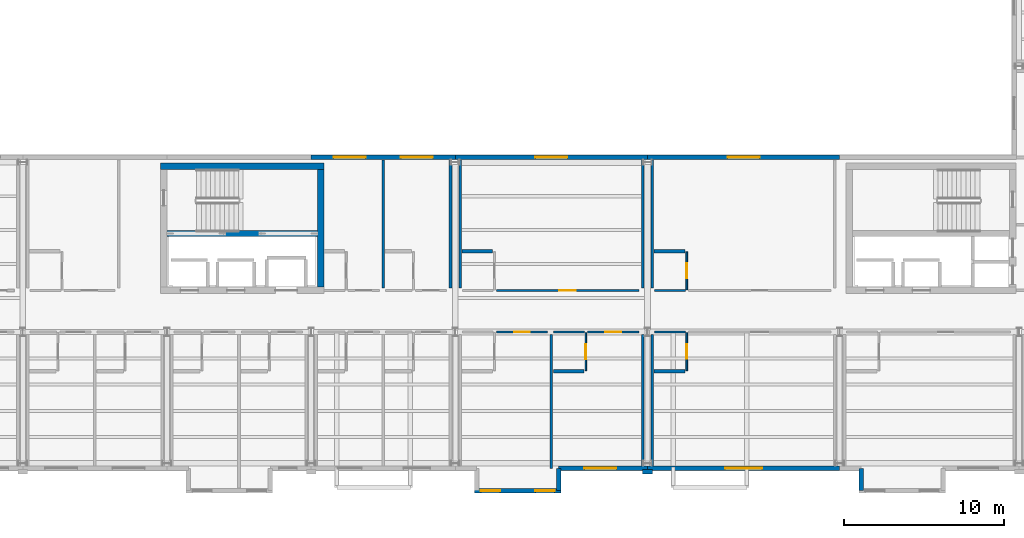
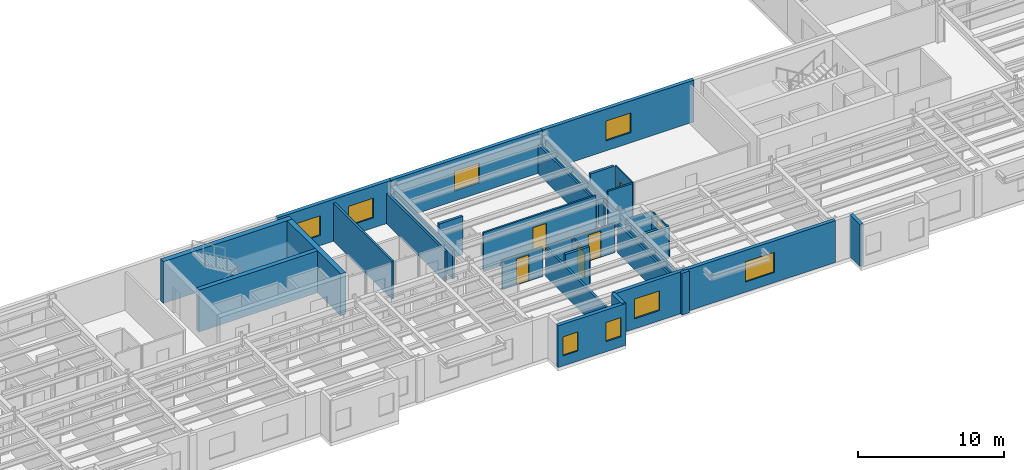
# One storey, part 11 of 17: 33 walls, 8 windows, 6 doors, 14 openings.
"""IFC4 building model written with IfcOpenShell, lengths in metres."""

from ifc_helpers import new_model, si_unit, direction, frame, frame_2d, origin, place, context, subcontext, project, spatial, rectangle, extrude, material, layer, layer_set, type_object, element, fill, save


model = new_model("IFC4")

# Units and contexts
model_context = context("Model", 3, precision=1e-05, world=origin(), true_north=direction((0.0, 1.0)))
body_context = subcontext(model_context, "Body", "Model", "MODEL_VIEW")
ifc_project = project(units=[si_unit("LENGTHUNIT", "METRE"), si_unit("AREAUNIT", "SQUARE_METRE"), si_unit("VOLUMEUNIT", "CUBIC_METRE"), si_unit("PLANEANGLEUNIT", "RADIAN"), si_unit("MASSUNIT", "GRAM", prefix="KILO")], contexts=[model_context])

# Site, building, storey
site_placement = place(None, origin())
site = spatial("IfcSite", under=ifc_project, at=site_placement, CompositionType="ELEMENT")
building_placement = place(site_placement, origin())
building = spatial("IfcBuilding", under=site, at=building_placement, Name="Sollismere Congress Hotel", CompositionType="ELEMENT")
storey_placement = place(building_placement, frame((0.0, 0.0, 37.60009765625)))
storey = spatial("IfcBuildingStorey", under=building, at=storey_placement, Name="L09", CompositionType="ELEMENT", Elevation=37.60009765625)

# Wall, opening, window
ifc_material_1 = material(Name="Colorado Buff Sandstone Rainscreen on Insulated Backup", Category="masonry")
ifc_layer_1 = layer(ifc_material_1, 0.284912109375, Name="Colorado Buff Sandstone Rainscreen on Insulated Backup")
ifc_layer_set_1 = layer_set([ifc_layer_1], Name="Colorado Buff Sandstone Rainscreen on Insulated Backup")
wall_type_1 = type_object("IfcWallType", Name="WL-EXT285", PredefinedType="STANDARD", material=ifc_layer_set_1)
wall_1_placement = place(storey_placement, frame((118.4599609375, -0.31005859375, 0.0), z_axis=(0.0, 0.0, 1.0), x_axis=(1.0, 0.0, 0.0)))
wall_1 = element("IfcWall", 1, at=wall_1_placement, inside=storey, type_object=wall_type_1, Name="Exterior wall EW-L09-893", PredefinedType="STANDARD", context=body_context, shape_type="SweptSolid", body=[
    extrude(rectangle(XDim=5.5400390625, YDim=0.284912109375, at=frame_2d((2.77001953125, 0.0))), origin(), (0.0, 0.0, 1.0), 3.5),
])
opening_1_placement = place(wall_1_placement, frame((1.594970703125, 0.0, 0.85009765625)))
opening_1 = element("IfcOpeningElement", 2, at=opening_1_placement, cuts=wall_1, Name="Opening W-L09-643", PredefinedType="OPENING", context=body_context, shape_type="SweptSolid", body=[
    extrude(rectangle(XDim=2.0, YDim=1.64990234375, at=frame_2d((1.0, 0.824951171875))), frame((0.0, 0.15234375, 0.0), z_axis=(0.0, -1.0, 0.0), x_axis=(1.0, 0.0, 0.0)), (0.0, 0.0, 1.0), 0.304931640625),
])
ifc_material_2 = material(Name="Thermally Broken Bronze Aluminum & Low-E Glass", Category="aluminium")
window_type_1 = type_object("IfcWindowType", Name="WN-P200x165", PartitioningType="SINGLE_PANEL", PredefinedType="WINDOW", material=ifc_material_2)
window_1_placement = place(opening_1_placement, origin())
window_1 = element("IfcWindow", 3, at=window_1_placement, inside=storey, type_object=window_type_1, Name="WIN-W-L09-643", OverallHeight=1.64990234375, OverallWidth=2.0, PartitioningType="SINGLE_PANEL", PredefinedType="WINDOW", context=body_context, shape_type="SweptSolid", body=[
    extrude(rectangle(XDim=2.0, YDim=1.64990234375, at=frame_2d((1.0, 0.824951171875))), frame((0.0, 0.030029296875, 0.0), z_axis=(0.0, -1.0, 0.0), x_axis=(1.0, 0.0, 0.0)), (0.0, 0.0, 1.0), 0.06005859375),
])
fill(opening_1, window_1)

# Wall, openings, windows
wall_2_placement = place(storey_placement, frame((113.199951171875, -1.699951171875, 0.0), z_axis=(0.0, 0.0, 1.0), x_axis=(1.0, 0.0, 0.0)))
wall_2 = element("IfcWall", 4, at=wall_2_placement, inside=storey, type_object=wall_type_1, Name="Exterior wall EW-L09-894", PredefinedType="STANDARD", context=body_context, shape_type="SweptSolid", body=[
    extrude(rectangle(XDim=5.400146484375, YDim=0.284912109375, at=frame_2d((2.7001953125, 0.0))), origin(), (0.0, 0.0, 1.0), 3.5),
])
opening_2_placement = place(wall_2_placement, frame((0.39990234375, 0.0, 0.85009765625)))
opening_2 = element("IfcOpeningElement", 5, at=opening_2_placement, cuts=wall_2, Name="Opening W-L09-644", PredefinedType="OPENING", context=body_context, shape_type="SweptSolid", body=[
    extrude(rectangle(XDim=1.199951171875, YDim=1.60009765625, at=frame_2d((0.60009765625, 0.800048828125))), frame((0.0, 0.15234375, 0.0), z_axis=(0.0, -1.0, 0.0), x_axis=(1.0, 0.0, 0.0)), (0.0, 0.0, 1.0), 0.304931640625),
])
opening_3_placement = place(wall_2_placement, frame((3.800048828125, 0.0, 0.85009765625)))
opening_3 = element("IfcOpeningElement", 6, at=opening_3_placement, cuts=wall_2, Name="Opening W-L09-645", PredefinedType="OPENING", context=body_context, shape_type="SweptSolid", body=[
    extrude(rectangle(XDim=1.199951171875, YDim=1.60009765625, at=frame_2d((0.60009765625, 0.800048828125))), frame((0.0, 0.15234375, 0.0), z_axis=(0.0, -1.0, 0.0), x_axis=(1.0, 0.0, 0.0)), (0.0, 0.0, 1.0), 0.304931640625),
])
window_type_2 = type_object("IfcWindowType", Name="WN-P120x160", PartitioningType="SINGLE_PANEL", PredefinedType="WINDOW", material=ifc_material_2)
window_2_placement = place(opening_2_placement, origin())
window_2 = element("IfcWindow", 7, at=window_2_placement, inside=storey, type_object=window_type_2, Name="WIN-W-L09-644", OverallHeight=1.60009765625, OverallWidth=1.199951171875, PartitioningType="SINGLE_PANEL", PredefinedType="WINDOW", context=body_context, shape_type="SweptSolid", body=[
    extrude(rectangle(XDim=1.199951171875, YDim=1.60009765625, at=frame_2d((0.60009765625, 0.800048828125))), frame((0.0, 0.030029296875, 0.0), z_axis=(0.0, -1.0, 0.0), x_axis=(1.0, 0.0, 0.0)), (0.0, 0.0, 1.0), 0.06005859375),
])
fill(opening_2, window_2)
window_3_placement = place(opening_3_placement, origin())
window_3 = element("IfcWindow", 8, at=window_3_placement, inside=storey, type_object=window_type_2, Name="WIN-W-L09-645", OverallHeight=1.60009765625, OverallWidth=1.199951171875, PartitioningType="SINGLE_PANEL", PredefinedType="WINDOW", context=body_context, shape_type="SweptSolid", body=[
    extrude(rectangle(XDim=1.199951171875, YDim=1.60009765625, at=frame_2d((0.60009765625, 0.800048828125))), frame((0.0, 0.030029296875, 0.0), z_axis=(0.0, -1.0, 0.0), x_axis=(1.0, 0.0, 0.0)), (0.0, 0.0, 1.0), 0.06005859375),
])
fill(opening_3, window_3)

# Wall
wall_3_placement = place(storey_placement, frame((118.4599609375, -1.699951171875, 0.0), z_axis=(0.0, 0.0, 1.0), x_axis=(0.0, 1.0, 0.0)))
element("IfcWall", 9, at=wall_3_placement, inside=storey, type_object=wall_type_1, Name="Exterior wall EW-L09-896", PredefinedType="STANDARD", context=body_context, shape_type="SweptSolid", body=[
    extrude(rectangle(XDim=1.389892578125, YDim=0.284912109375, at=frame_2d((0.69482421875, 0.0))), origin(), (0.0, 0.0, 1.0), 3.5),
])

# Wall, opening, window
wall_4_placement = place(storey_placement, frame((124.0, -0.31005859375, 0.0), z_axis=(0.0, 0.0, 1.0), x_axis=(1.0, 0.0, 0.0)))
wall_4 = element("IfcWall", 10, at=wall_4_placement, inside=storey, type_object=wall_type_1, Name="Exterior wall EW-L09-897", PredefinedType="STANDARD", context=body_context, shape_type="SweptSolid", body=[
    extrude(rectangle(XDim=12.0, YDim=0.284912109375, at=frame_2d((6.0, 0.0))), origin(), (0.0, 0.0, 1.0), 3.5),
])
opening_4_placement = place(wall_4_placement, frame((4.85009765625, 0.0, 0.85009765625)))
opening_4 = element("IfcOpeningElement", 11, at=opening_4_placement, cuts=wall_4, Name="Opening W-L09-646", PredefinedType="OPENING", context=body_context, shape_type="SweptSolid", body=[
    extrude(rectangle(XDim=2.300048828125, YDim=1.699951171875, at=frame_2d((1.14990234375, 0.85009765625))), frame((0.0, 0.15234375, 0.0), z_axis=(0.0, -1.0, 0.0), x_axis=(1.0, 0.0, 0.0)), (0.0, 0.0, 1.0), 0.304931640625),
])
window_type_3 = type_object("IfcWindowType", Name="WN-P230x170", PartitioningType="SINGLE_PANEL", PredefinedType="WINDOW", material=ifc_material_2)
window_4_placement = place(opening_4_placement, origin())
window_4 = element("IfcWindow", 12, at=window_4_placement, inside=storey, type_object=window_type_3, Name="WIN-W-L09-646", OverallHeight=1.699951171875, OverallWidth=2.300048828125, PartitioningType="SINGLE_PANEL", PredefinedType="WINDOW", context=body_context, shape_type="SweptSolid", body=[
    extrude(rectangle(XDim=2.300048828125, YDim=1.699951171875, at=frame_2d((1.14990234375, 0.85009765625))), frame((0.0, 0.030029296875, 0.0), z_axis=(0.0, -1.0, 0.0), x_axis=(1.0, 0.0, 0.0)), (0.0, 0.0, 1.0), 0.06005859375),
])
fill(opening_4, window_4)

# Wall
wall_5_placement = place(storey_placement, frame((137.340087890625, -0.31005859375, 0.0), z_axis=(0.0, 0.0, 1.0), x_axis=(0.0, -1.0, 0.0)))
element("IfcWall", 13, at=wall_5_placement, inside=storey, type_object=wall_type_1, Name="Exterior wall EW-L09-902", PredefinedType="STANDARD", context=body_context, shape_type="SweptSolid", body=[
    extrude(rectangle(XDim=1.389892578125, YDim=0.284912109375, at=frame_2d((0.69482421875, 0.0))), origin(), (0.0, 0.0, 1.0), 3.5),
])

# Wall, openings, windows
wall_6_placement = place(storey_placement, frame((112.0, 19.110107421875, 0.0), z_axis=(0.0, 0.0, 1.0), x_axis=(-1.0, 0.0, 0.0)))
wall_6 = element("IfcWall", 14, at=wall_6_placement, inside=storey, type_object=wall_type_1, Name="Exterior wall EW-L09-930", PredefinedType="STANDARD", context=body_context, shape_type="SweptSolid", body=[
    extrude(rectangle(XDim=9.0, YDim=0.284912109375, at=frame_2d((4.5, 0.0))), origin(), (0.0, 0.0, 1.0), 3.5),
])
opening_5_placement = place(wall_6_placement, frame((5.60009765625, 0.0, 0.85009765625)))
opening_5 = element("IfcOpeningElement", 15, at=opening_5_placement, cuts=wall_6, Name="Opening W-L09-664", PredefinedType="OPENING", context=body_context, shape_type="SweptSolid", body=[
    extrude(rectangle(XDim=2.0, YDim=1.64990234375, at=frame_2d((1.0, 0.824951171875))), frame((0.0, 0.15234375, 0.0), z_axis=(0.0, -1.0, 0.0), x_axis=(1.0, 0.0, 0.0)), (0.0, 0.0, 1.0), 0.304931640625),
])
opening_6_placement = place(wall_6_placement, frame((1.39990234375, 0.0, 0.85009765625)))
opening_6 = element("IfcOpeningElement", 16, at=opening_6_placement, cuts=wall_6, Name="Opening W-L09-665", PredefinedType="OPENING", context=body_context, shape_type="SweptSolid", body=[
    extrude(rectangle(XDim=2.0, YDim=1.64990234375, at=frame_2d((1.0, 0.824951171875))), frame((0.0, 0.15234375, 0.0), z_axis=(0.0, -1.0, 0.0), x_axis=(1.0, 0.0, 0.0)), (0.0, 0.0, 1.0), 0.304931640625),
])
window_5_placement = place(opening_5_placement, origin())
window_5 = element("IfcWindow", 17, at=window_5_placement, inside=storey, type_object=window_type_1, Name="WIN-W-L09-664", OverallHeight=1.64990234375, OverallWidth=2.0, PartitioningType="SINGLE_PANEL", PredefinedType="WINDOW", context=body_context, shape_type="SweptSolid", body=[
    extrude(rectangle(XDim=2.0, YDim=1.64990234375, at=frame_2d((1.0, 0.824951171875))), frame((0.0, 0.030029296875, 0.0), z_axis=(0.0, -1.0, 0.0), x_axis=(1.0, 0.0, 0.0)), (0.0, 0.0, 1.0), 0.06005859375),
])
fill(opening_5, window_5)
window_6_placement = place(opening_6_placement, origin())
window_6 = element("IfcWindow", 18, at=window_6_placement, inside=storey, type_object=window_type_1, Name="WIN-W-L09-665", OverallHeight=1.64990234375, OverallWidth=2.0, PartitioningType="SINGLE_PANEL", PredefinedType="WINDOW", context=body_context, shape_type="SweptSolid", body=[
    extrude(rectangle(XDim=2.0, YDim=1.64990234375, at=frame_2d((1.0, 0.824951171875))), frame((0.0, 0.030029296875, 0.0), z_axis=(0.0, -1.0, 0.0), x_axis=(1.0, 0.0, 0.0)), (0.0, 0.0, 1.0), 0.06005859375),
])
fill(opening_6, window_6)

# Wall, opening, window
wall_7_placement = place(storey_placement, frame((124.0, 19.110107421875, 0.0), z_axis=(0.0, 0.0, 1.0), x_axis=(-1.0, 0.0, 0.0)))
wall_7 = element("IfcWall", 19, at=wall_7_placement, inside=storey, type_object=wall_type_1, Name="Exterior wall EW-L09-931", PredefinedType="STANDARD", context=body_context, shape_type="SweptSolid", body=[
    extrude(rectangle(XDim=12.0, YDim=0.284912109375, at=frame_2d((6.0, 0.0))), origin(), (0.0, 0.0, 1.0), 3.5),
])
opening_7_placement = place(wall_7_placement, frame((5.0, 0.0, 0.85009765625)))
opening_7 = element("IfcOpeningElement", 20, at=opening_7_placement, cuts=wall_7, Name="Opening W-L09-666", PredefinedType="OPENING", context=body_context, shape_type="SweptSolid", body=[
    extrude(rectangle(XDim=2.0, YDim=1.64990234375, at=frame_2d((1.0, 0.824951171875))), frame((0.0, 0.15234375, 0.0), z_axis=(0.0, -1.0, 0.0), x_axis=(1.0, 0.0, 0.0)), (0.0, 0.0, 1.0), 0.304931640625),
])
window_7_placement = place(opening_7_placement, origin())
window_7 = element("IfcWindow", 21, at=window_7_placement, inside=storey, type_object=window_type_1, Name="WIN-W-L09-666", OverallHeight=1.64990234375, OverallWidth=2.0, PartitioningType="SINGLE_PANEL", PredefinedType="WINDOW", context=body_context, shape_type="SweptSolid", body=[
    extrude(rectangle(XDim=2.0, YDim=1.64990234375, at=frame_2d((1.0, 0.824951171875))), frame((0.0, 0.030029296875, 0.0), z_axis=(0.0, -1.0, 0.0), x_axis=(1.0, 0.0, 0.0)), (0.0, 0.0, 1.0), 0.06005859375),
])
fill(opening_7, window_7)

wall_8_placement = place(storey_placement, frame((136.0, 19.110107421875, 0.0), z_axis=(0.0, 0.0, 1.0), x_axis=(-1.0, 0.0, 0.0)))
wall_8 = element("IfcWall", 22, at=wall_8_placement, inside=storey, type_object=wall_type_1, Name="Exterior wall EW-L09-932", PredefinedType="STANDARD", context=body_context, shape_type="SweptSolid", body=[
    extrude(rectangle(XDim=12.0, YDim=0.284912109375, at=frame_2d((6.0, 0.0))), origin(), (0.0, 0.0, 1.0), 3.5),
])
opening_8_placement = place(wall_8_placement, frame((5.0, 0.0, 0.85009765625)))
opening_8 = element("IfcOpeningElement", 23, at=opening_8_placement, cuts=wall_8, Name="Opening W-L09-667", PredefinedType="OPENING", context=body_context, shape_type="SweptSolid", body=[
    extrude(rectangle(XDim=2.0, YDim=1.64990234375, at=frame_2d((1.0, 0.824951171875))), frame((0.0, 0.15234375, 0.0), z_axis=(0.0, -1.0, 0.0), x_axis=(1.0, 0.0, 0.0)), (0.0, 0.0, 1.0), 0.304931640625),
])
window_8_placement = place(opening_8_placement, origin())
window_8 = element("IfcWindow", 24, at=window_8_placement, inside=storey, type_object=window_type_1, Name="WIN-W-L09-667", OverallHeight=1.64990234375, OverallWidth=2.0, PartitioningType="SINGLE_PANEL", PredefinedType="WINDOW", context=body_context, shape_type="SweptSolid", body=[
    extrude(rectangle(XDim=2.0, YDim=1.64990234375, at=frame_2d((1.0, 0.824951171875))), frame((0.0, 0.030029296875, 0.0), z_axis=(0.0, -1.0, 0.0), x_axis=(1.0, 0.0, 0.0)), (0.0, 0.0, 1.0), 0.06005859375),
])
fill(opening_8, window_8)

# Walls
ifc_material_3 = material(Name="Carved Travertine Pilaster & Frieze Assembly", Category="masonry")
ifc_layer_2 = layer(ifc_material_3, 0.260009765625, Name="Carved Travertine Pilaster & Frieze Assembly")
ifc_layer_set_2 = layer_set([ifc_layer_2], Name="Carved Travertine Pilaster & Frieze Assembly")
wall_type_2 = type_object("IfcWallType", Name="WL-PIL280", PredefinedType="ELEMENTEDWALL", material=ifc_layer_set_2)
wall_9_placement = place(storey_placement, frame((123.699951171875, -0.52001953125, 0.0), z_axis=(0.0, 0.0, 1.0), x_axis=(1.0, 0.0, 0.0)))
element("IfcWall", 25, at=wall_9_placement, inside=storey, type_object=wall_type_2, Name="Exterior wall EW-L09-898", PredefinedType="ELEMENTEDWALL", context=body_context, shape_type="SweptSolid", body=[
    extrude(rectangle(XDim=0.60009765625, YDim=0.260009765625, at=frame_2d((0.300048828125, 0.0))), origin(), (0.0, 0.0, 1.0), 3.5),
])
ifc_material_4 = material(Name="Moisture-Resistant Shaft Gypsum Assembly")
ifc_layer_3 = layer(ifc_material_4, 0.199951171875, Name="Moisture-Resistant Shaft Gypsum Assembly")
ifc_layer_set_3 = layer_set([ifc_layer_3], Name="Moisture-Resistant Shaft Gypsum Assembly")
wall_type_3 = type_object("IfcWallType", Name="WL-PLM200", PredefinedType="PLUMBINGWALL", material=ifc_layer_set_3)
wall_10_placement = place(storey_placement, frame((118.1201171875, 5.75, 0.0), z_axis=(0.0, 0.0, 1.0), x_axis=(1.0, 0.0, 0.0)))
element("IfcWall", 26, at=wall_10_placement, inside=storey, type_object=wall_type_3, Name="Interior wall IW-L09-2663", PredefinedType="PLUMBINGWALL", context=body_context, shape_type="SweptSolid", body=[
    extrude(rectangle(XDim=1.909912109375, YDim=0.199951171875, at=frame_2d((0.955078125, 0.0))), origin(), (0.0, 0.0, 1.0), 3.199951171875),
])
wall_11_placement = place(storey_placement, frame((112.419921875, 13.25, 0.0), z_axis=(0.0, 0.0, 1.0), x_axis=(1.0, 0.0, 0.0)))
element("IfcWall", 27, at=wall_11_placement, inside=storey, type_object=wall_type_3, Name="Interior wall IW-L09-2669", PredefinedType="PLUMBINGWALL", context=body_context, shape_type="SweptSolid", body=[
    extrude(rectangle(XDim=1.91015625, YDim=0.199951171875, at=frame_2d((0.955078125, 0.0))), origin(), (0.0, 0.0, 1.0), 3.199951171875),
])
wall_12_placement = place(storey_placement, frame((124.419921875, 5.75, 0.0), z_axis=(0.0, 0.0, 1.0), x_axis=(1.0, 0.0, 0.0)))
element("IfcWall", 28, at=wall_12_placement, inside=storey, type_object=wall_type_3, Name="Interior wall IW-L09-2675", PredefinedType="PLUMBINGWALL", context=body_context, shape_type="SweptSolid", body=[
    extrude(rectangle(XDim=1.91015625, YDim=0.199951171875, at=frame_2d((0.955078125, 0.0))), origin(), (0.0, 0.0, 1.0), 2.7529296875),
])
wall_13_placement = place(storey_placement, frame((124.419921875, 13.25, 0.0), z_axis=(0.0, 0.0, 1.0), x_axis=(1.0, 0.0, 0.0)))
element("IfcWall", 29, at=wall_13_placement, inside=storey, type_object=wall_type_3, Name="Interior wall IW-L09-2681", PredefinedType="PLUMBINGWALL", context=body_context, shape_type="SweptSolid", body=[
    extrude(rectangle(XDim=1.91015625, YDim=0.199951171875, at=frame_2d((0.955078125, 0.0))), origin(), (0.0, 0.0, 1.0), 3.199951171875),
])

# Wall, opening, door
ifc_material_5 = material(Name="Moisture-Resistant Gypsum Partition")
ifc_layer_4 = layer(ifc_material_5, 0.10009765625, Name="Moisture-Resistant Gypsum Partition")
ifc_layer_set_4 = layer_set([ifc_layer_4], Name="Moisture-Resistant Gypsum Partition")
wall_type_4 = type_object("IfcWallType", Name="WL-PRT100", PredefinedType="PARTITIONING", material=ifc_layer_set_4)
wall_14_placement = place(storey_placement, frame((120.14990234375, 5.7900390625, 0.0), z_axis=(0.0, 0.0, 1.0), x_axis=(0.0, 1.0, 0.0)))
wall_14 = element("IfcWall", 30, at=wall_14_placement, inside=storey, type_object=wall_type_4, Name="Interior wall IW-L09-2662", PredefinedType="PARTITIONING", context=body_context, shape_type="SweptSolid", body=[
    extrude(rectangle(XDim=2.369873046875, YDim=0.10009765625, at=frame_2d((1.18505859375, 0.0))), origin(), (0.0, 0.0, 1.0), 2.43798828125),
])
opening_9_placement = place(wall_14_placement, frame((0.7080078125, 0.0, 0.0)))
opening_9 = element("IfcOpeningElement", 31, at=opening_9_placement, cuts=wall_14, Name="Opening D-L09-0941", PredefinedType="OPENING", context=body_context, shape_type="SweptSolid", body=[
    extrude(rectangle(XDim=0.955078125, YDim=2.139892578125, at=frame_2d((0.4775390625, 1.06982421875))), frame((0.0, 0.06005859375, 0.0), z_axis=(0.0, -1.0, 0.0), x_axis=(1.0, 0.0, 0.0)), (0.0, 0.0, 1.0), 0.1201171875),
])
ifc_material_6 = material(Name="Moisture-Sealed Timber Bathroom Door", Category="wood")
door_type_1 = type_object("IfcDoorType", Name="DR-BT04", OperationType="NOTDEFINED", PredefinedType="DOOR", material=ifc_material_6)
door_1_placement = place(opening_9_placement, origin())
door_1 = element("IfcDoor", 32, at=door_1_placement, inside=storey, type_object=door_type_1, Name="En-suite bathroom door D-L09-0941", OperationType="SINGLE_SWING_RIGHT", OverallHeight=2.139892578125, OverallWidth=0.955078125, PredefinedType="DOOR", context=body_context, shape_type="SweptSolid", body=[
    extrude(rectangle(XDim=0.955078125, YDim=2.139892578125, at=frame_2d((0.4775390625, 1.06982421875))), frame((0.0, 0.02490234375, 0.0), z_axis=(0.0, -1.0, 0.0), x_axis=(1.0, 0.0, 0.0)), (0.0, 0.0, 1.0), 0.050048828125),
])
fill(opening_9, door_1)

wall_15_placement = place(storey_placement, frame((126.449951171875, 5.7900390625, 0.0), z_axis=(0.0, 0.0, 1.0), x_axis=(0.0, 1.0, 0.0)))
wall_15 = element("IfcWall", 33, at=wall_15_placement, inside=storey, type_object=wall_type_4, Name="Interior wall IW-L09-2674", PredefinedType="PARTITIONING", context=body_context, shape_type="SweptSolid", body=[
    extrude(rectangle(XDim=2.369873046875, YDim=0.10009765625, at=frame_2d((1.18505859375, 0.0))), origin(), (0.0, 0.0, 1.0), 2.43798828125),
])
opening_10_placement = place(wall_15_placement, frame((0.73291015625, 0.0, 0.0)))
opening_10 = element("IfcOpeningElement", 34, at=opening_10_placement, cuts=wall_15, Name="Opening D-L09-0945", PredefinedType="OPENING", context=body_context, shape_type="SweptSolid", body=[
    extrude(rectangle(XDim=0.905029296875, YDim=2.179931640625, at=frame_2d((0.45263671875, 1.08984375))), frame((0.0, 0.06005859375, 0.0), z_axis=(0.0, -1.0, 0.0), x_axis=(1.0, 0.0, 0.0)), (0.0, 0.0, 1.0), 0.1201171875),
])
door_type_2 = type_object("IfcDoorType", Name="DR-BT06", OperationType="NOTDEFINED", PredefinedType="DOOR", material=ifc_material_6)
door_2_placement = place(opening_10_placement, origin())
door_2 = element("IfcDoor", 35, at=door_2_placement, inside=storey, type_object=door_type_2, Name="En-suite bathroom door D-L09-0945", OperationType="SINGLE_SWING_RIGHT", OverallHeight=2.179931640625, OverallWidth=0.905029296875, PredefinedType="DOOR", context=body_context, shape_type="SweptSolid", body=[
    extrude(rectangle(XDim=0.905029296875, YDim=2.179931640625, at=frame_2d((0.45263671875, 1.08984375))), frame((0.0, 0.02490234375, 0.0), z_axis=(0.0, -1.0, 0.0), x_axis=(1.0, 0.0, 0.0)), (0.0, 0.0, 1.0), 0.050048828125),
])
fill(opening_10, door_2)

wall_16_placement = place(storey_placement, frame((126.449951171875, 10.840087890625, 0.0), z_axis=(0.0, 0.0, 1.0), x_axis=(0.0, 1.0, 0.0)))
wall_16 = element("IfcWall", 36, at=wall_16_placement, inside=storey, type_object=wall_type_4, Name="Interior wall IW-L09-2680", PredefinedType="PARTITIONING", context=body_context, shape_type="SweptSolid", body=[
    extrude(rectangle(XDim=2.369873046875, YDim=0.10009765625, at=frame_2d((1.18505859375, 0.0))), origin(), (0.0, 0.0, 1.0), 3.199951171875),
])
opening_11_placement = place(wall_16_placement, frame((0.719970703125, 0.0, 0.0)))
opening_11 = element("IfcOpeningElement", 37, at=opening_11_placement, cuts=wall_16, Name="Opening D-L09-0947", PredefinedType="OPENING", context=body_context, shape_type="SweptSolid", body=[
    extrude(rectangle(XDim=0.929931640625, YDim=2.219970703125, at=frame_2d((0.46484375, 1.10986328125))), frame((0.0, 0.06005859375, 0.0), z_axis=(0.0, -1.0, 0.0), x_axis=(1.0, 0.0, 0.0)), (0.0, 0.0, 1.0), 0.1201171875),
])
door_type_3 = type_object("IfcDoorType", Name="DR-BT07", OperationType="NOTDEFINED", PredefinedType="DOOR", material=ifc_material_6)
door_3_placement = place(opening_11_placement, origin())
door_3 = element("IfcDoor", 38, at=door_3_placement, inside=storey, type_object=door_type_3, Name="En-suite bathroom door D-L09-0947", OperationType="SINGLE_SWING_RIGHT", OverallHeight=2.219970703125, OverallWidth=0.929931640625, PredefinedType="DOOR", context=body_context, shape_type="SweptSolid", body=[
    extrude(rectangle(XDim=0.929931640625, YDim=2.219970703125, at=frame_2d((0.46484375, 1.10986328125))), frame((0.0, 0.02490234375, 0.0), z_axis=(0.0, -1.0, 0.0), x_axis=(1.0, 0.0, 0.0)), (0.0, 0.0, 1.0), 0.050048828125),
])
fill(opening_11, door_3)

ifc_material_7 = material(Name="Fire-Rated Gypsum Partition")
ifc_layer_5 = layer(ifc_material_7, 0.139892578125, Name="Fire-Rated Gypsum Partition")
ifc_layer_set_5 = layer_set([ifc_layer_5], Name="Fire-Rated Gypsum Partition")
wall_type_5 = type_object("IfcWallType", Name="WL-PRT140R", PredefinedType="PARTITIONING", material=ifc_layer_set_5)
wall_17_placement = place(storey_placement, frame((114.570068359375, 8.199951171875, 0.0), z_axis=(0.0, 0.0, 1.0), x_axis=(1.0, 0.0, 0.0)))
wall_17 = element("IfcWall", 39, at=wall_17_placement, inside=storey, type_object=wall_type_5, Name="Interior wall IW-L09-2654", PredefinedType="PARTITIONING", context=body_context, shape_type="SweptSolid", body=[
    extrude(rectangle(XDim=3.18994140625, YDim=0.139892578125, at=frame_2d((1.594970703125, 0.0))), origin(), (0.0, 0.0, 1.0), 2.43798828125),
])
opening_12_placement = place(wall_17_placement, frame((1.10498046875, 0.0, 0.0)))
opening_12 = element("IfcOpeningElement", 40, at=opening_12_placement, cuts=wall_17, Name="Opening D-L09-0938", PredefinedType="OPENING", context=body_context, shape_type="SweptSolid", body=[
    extrude(rectangle(XDim=0.97998046875, YDim=2.199951171875, at=frame_2d((0.489990234375, 1.10009765625))), frame((0.0, 0.079833984375, 0.0), z_axis=(0.0, -1.0, 0.0), x_axis=(1.0, 0.0, 0.0)), (0.0, 0.0, 1.0), 0.159912109375),
])
ifc_material_8 = material(Name="Solid-Core Acoustic Walnut Guestroom Entry Door")
door_type_4 = type_object("IfcDoorType", Name="DR-KY03", OperationType="NOTDEFINED", PredefinedType="DOOR", material=ifc_material_8)
door_4_placement = place(opening_12_placement, origin())
door_4 = element("IfcDoor", 41, at=door_4_placement, inside=storey, type_object=door_type_4, Name="Hotel room entry door D-L09-0938", OperationType="SINGLE_SWING_LEFT", OverallHeight=2.199951171875, OverallWidth=0.97998046875, PredefinedType="DOOR", context=body_context, shape_type="SweptSolid", body=[
    extrude(rectangle(XDim=0.97998046875, YDim=2.199951171875, at=frame_2d((0.489990234375, 1.10009765625))), frame((0.0, 0.02490234375, 0.0), z_axis=(0.0, -1.0, 0.0), x_axis=(1.0, 0.0, 0.0)), (0.0, 0.0, 1.0), 0.050048828125),
])
fill(opening_12, door_4)

# Wall
wall_18_placement = place(storey_placement, frame((118.139892578125, 8.199951171875, 0.0), z_axis=(0.0, 0.0, 1.0), x_axis=(1.0, 0.0, 0.0)))
element("IfcWall", 42, at=wall_18_placement, inside=storey, type_object=wall_type_5, Name="Interior wall IW-L09-2659", PredefinedType="PARTITIONING", context=body_context, shape_type="SweptSolid", body=[
    extrude(rectangle(XDim=1.93017578125, YDim=0.139892578125, at=frame_2d((0.965087890625, 0.0))), origin(), (0.0, 0.0, 1.0), 2.43798828125),
])

# Wall, opening, door
wall_19_placement = place(storey_placement, frame((120.27001953125, 8.199951171875, 0.0), z_axis=(0.0, 0.0, 1.0), x_axis=(1.0, 0.0, 0.0)))
wall_19 = element("IfcWall", 43, at=wall_19_placement, inside=storey, type_object=wall_type_5, Name="Interior wall IW-L09-2660", PredefinedType="PARTITIONING", context=body_context, shape_type="SweptSolid", body=[
    extrude(rectangle(XDim=3.18994140625, YDim=0.139892578125, at=frame_2d((1.594970703125, 0.0))), origin(), (0.0, 0.0, 1.0), 2.43798828125),
])
opening_13_placement = place(wall_19_placement, frame((1.090087890625, 0.0, 0.0)))
opening_13 = element("IfcOpeningElement", 44, at=opening_13_placement, cuts=wall_19, Name="Opening D-L09-0940", PredefinedType="OPENING", context=body_context, shape_type="SweptSolid", body=[
    extrude(rectangle(XDim=1.010009765625, YDim=2.199951171875, at=frame_2d((0.5048828125, 1.10009765625))), frame((0.0, 0.079833984375, 0.0), z_axis=(0.0, -1.0, 0.0), x_axis=(1.0, 0.0, 0.0)), (0.0, 0.0, 1.0), 0.159912109375),
])
door_type_5 = type_object("IfcDoorType", Name="DR-KY04", OperationType="NOTDEFINED", PredefinedType="DOOR", material=ifc_material_8)
door_5_placement = place(opening_13_placement, origin())
door_5 = element("IfcDoor", 45, at=door_5_placement, inside=storey, type_object=door_type_5, Name="Hotel room entry door D-L09-0940", OperationType="SINGLE_SWING_LEFT", OverallHeight=2.199951171875, OverallWidth=1.010009765625, PredefinedType="DOOR", context=body_context, shape_type="SweptSolid", body=[
    extrude(rectangle(XDim=1.010009765625, YDim=2.199951171875, at=frame_2d((0.5048828125, 1.10009765625))), frame((0.0, 0.02490234375, 0.0), z_axis=(0.0, -1.0, 0.0), x_axis=(1.0, 0.0, 0.0)), (0.0, 0.0, 1.0), 0.050048828125),
])
fill(opening_13, door_5)

wall_20_placement = place(storey_placement, frame((114.570068359375, 10.800048828125, 0.0), z_axis=(0.0, 0.0, 1.0), x_axis=(1.0, 0.0, 0.0)))
wall_20 = element("IfcWall", 46, at=wall_20_placement, inside=storey, type_object=wall_type_5, Name="Interior wall IW-L09-2665", PredefinedType="PARTITIONING", context=body_context, shape_type="SweptSolid", body=[
    extrude(rectangle(XDim=8.889892578125, YDim=0.139892578125, at=frame_2d((4.44482421875, 0.0))), origin(), (0.0, 0.0, 1.0), 3.199951171875),
])
opening_14_placement = place(wall_20_placement, frame((3.925048828125, 0.0, 0.0)))
opening_14 = element("IfcOpeningElement", 47, at=opening_14_placement, cuts=wall_20, Name="Opening D-L09-0942", PredefinedType="OPENING", context=body_context, shape_type="SweptSolid", body=[
    extrude(rectangle(XDim=1.0400390625, YDim=2.25, at=frame_2d((0.52001953125, 1.125))), frame((0.0, 0.079833984375, 0.0), z_axis=(0.0, -1.0, 0.0), x_axis=(1.0, 0.0, 0.0)), (0.0, 0.0, 1.0), 0.159912109375),
])
door_type_6 = type_object("IfcDoorType", Name="DR-KY05", OperationType="NOTDEFINED", PredefinedType="DOOR", material=ifc_material_8)
door_6_placement = place(opening_14_placement, origin())
door_6 = element("IfcDoor", 48, at=door_6_placement, inside=storey, type_object=door_type_6, Name="Hotel room entry door D-L09-0942", OperationType="SINGLE_SWING_LEFT", OverallHeight=2.25, OverallWidth=1.0400390625, PredefinedType="DOOR", context=body_context, shape_type="SweptSolid", body=[
    extrude(rectangle(XDim=1.0400390625, YDim=2.25, at=frame_2d((0.52001953125, 1.125))), frame((0.0, 0.02490234375, 0.0), z_axis=(0.0, -1.0, 0.0), x_axis=(1.0, 0.0, 0.0)), (0.0, 0.0, 1.0), 0.050048828125),
])
fill(opening_14, door_6)

# Walls
wall_21_placement = place(storey_placement, frame((124.43994140625, 8.199951171875, 0.0), z_axis=(0.0, 0.0, 1.0), x_axis=(1.0, 0.0, 0.0)))
element("IfcWall", 49, at=wall_21_placement, inside=storey, type_object=wall_type_5, Name="Interior wall IW-L09-2670", PredefinedType="PARTITIONING", context=body_context, shape_type="SweptSolid", body=[
    extrude(rectangle(XDim=1.93017578125, YDim=0.139892578125, at=frame_2d((0.965087890625, 0.0))), origin(), (0.0, 0.0, 1.0), 2.43798828125),
])
wall_22_placement = place(storey_placement, frame((124.43994140625, 10.800048828125, 0.0), z_axis=(0.0, 0.0, 1.0), x_axis=(1.0, 0.0, 0.0)))
element("IfcWall", 50, at=wall_22_placement, inside=storey, type_object=wall_type_5, Name="Interior wall IW-L09-2676", PredefinedType="PARTITIONING", context=body_context, shape_type="SweptSolid", body=[
    extrude(rectangle(XDim=1.93017578125, YDim=0.139892578125, at=frame_2d((0.965087890625, 0.0))), origin(), (0.0, 0.0, 1.0), 3.199951171875),
])
ifc_material_9 = material(Name="Fire-Rated Acoustic Gypsum Partition")
ifc_layer_6 = layer(ifc_material_9, 0.1650390625, Name="Fire-Rated Acoustic Gypsum Partition")
ifc_layer_set_6 = layer_set([ifc_layer_6], Name="Fire-Rated Acoustic Gypsum Partition")
wall_type_6 = type_object("IfcWallType", Name="WL-PRT165R", PredefinedType="PARTITIONING", material=ifc_layer_set_6)
wall_23_placement = place(storey_placement, frame((107.5, 10.93994140625, 0.0), z_axis=(0.0, 0.0, 1.0), x_axis=(0.0, 1.0, 0.0)))
element("IfcWall", 51, at=wall_23_placement, inside=storey, type_object=wall_type_6, Name="Interior wall IW-L09-2645", PredefinedType="PARTITIONING", context=body_context, shape_type="SweptSolid", body=[
    extrude(rectangle(XDim=8.012451171875, YDim=0.1650390625, at=frame_2d((4.00634765625, 0.0))), origin(), (0.0, 0.0, 1.0), 3.199951171875),
])
wall_24_placement = place(storey_placement, frame((111.699951171875, 10.93994140625, 0.0), z_axis=(0.0, 0.0, 1.0), x_axis=(0.0, 1.0, 0.0)))
element("IfcWall", 52, at=wall_24_placement, inside=storey, type_object=wall_type_6, Name="Interior wall IW-L09-2650", PredefinedType="PARTITIONING", context=body_context, shape_type="SweptSolid", body=[
    extrude(rectangle(XDim=8.012451171875, YDim=0.1650390625, at=frame_2d((4.00634765625, 0.0))), origin(), (0.0, 0.0, 1.0), 2.52880859375),
])
wall_25_placement = place(storey_placement, frame((118.0, -0.31005859375, 0.0), z_axis=(0.0, 0.0, 1.0), x_axis=(0.0, 1.0, 0.0)))
element("IfcWall", 53, at=wall_25_placement, inside=storey, type_object=wall_type_6, Name="Interior wall IW-L09-2656", PredefinedType="PARTITIONING", context=body_context, shape_type="SweptSolid", body=[
    extrude(rectangle(XDim=8.3701171875, YDim=0.1650390625, at=frame_2d((4.18505859375, 0.0))), origin(), (0.0, 0.0, 1.0), 2.43798828125),
])
wall_26_placement = place(storey_placement, frame((123.699951171875, -0.152587890625, 0.0), z_axis=(0.0, 0.0, 1.0), x_axis=(0.0, 1.0, 0.0)))
element("IfcWall", 54, at=wall_26_placement, inside=storey, type_object=wall_type_6, Name="Interior wall IW-L09-2661", PredefinedType="PARTITIONING", context=body_context, shape_type="SweptSolid", body=[
    extrude(rectangle(XDim=8.212646484375, YDim=0.1650390625, at=frame_2d((4.1064453125, 0.0))), origin(), (0.0, 0.0, 1.0), 2.43798828125),
])
for number, where, z_axis, x_axis, name in (
    (55, (112.300048828125, 10.93994140625, 0.0), (0.0, 0.0, 1.0), (0.0, 1.0, 0.0), "Interior wall IW-L09-2666"),
    (56, (123.699951171875, 10.93994140625, 0.0), (0.0, 0.0, 1.0), (0.0, 1.0, 0.0), "Interior wall IW-L09-2667"),
):
    element("IfcWall", number, at=place(storey_placement, frame(where, z_axis=z_axis, x_axis=x_axis)), inside=storey, type_object=wall_type_6, Name=name, PredefinedType="PARTITIONING", context=body_context, shape_type="SweptSolid", body=[
        extrude(rectangle(XDim=8.012451171875, YDim=0.1650390625, at=frame_2d((4.00634765625, 0.0))), origin(), (0.0, 0.0, 1.0), 2.43798828125),
    ])
wall_27_placement = place(storey_placement, frame((124.300048828125, -0.152587890625, 0.0), z_axis=(0.0, 0.0, 1.0), x_axis=(0.0, 1.0, 0.0)))
element("IfcWall", 57, at=wall_27_placement, inside=storey, type_object=wall_type_6, Name="Interior wall IW-L09-2672", PredefinedType="PARTITIONING", context=body_context, shape_type="SweptSolid", body=[
    extrude(rectangle(XDim=8.212646484375, YDim=0.1650390625, at=frame_2d((4.1064453125, 0.0))), origin(), (0.0, 0.0, 1.0), 2.43798828125),
])
wall_28_placement = place(storey_placement, frame((124.300048828125, 10.93994140625, 0.0), z_axis=(0.0, 0.0, 1.0), x_axis=(0.0, 1.0, 0.0)))
element("IfcWall", 58, at=wall_28_placement, inside=storey, type_object=wall_type_6, Name="Interior wall IW-L09-2678", PredefinedType="PARTITIONING", context=body_context, shape_type="SweptSolid", body=[
    extrude(rectangle(XDim=8.012451171875, YDim=0.1650390625, at=frame_2d((4.00634765625, 0.0))), origin(), (0.0, 0.0, 1.0), 2.52880859375),
])
ifc_material_10 = material(Name="Concrete C50/60", Category="concrete")
ifc_layer_7 = layer(ifc_material_10, 0.35009765625, Name="Concrete C50/60")
ifc_layer_set_7 = layer_set([ifc_layer_7], Name="Concrete C50/60")
wall_type_7 = type_object("IfcWallType", Name="WL-SHR350", PredefinedType="SHEAR", material=ifc_layer_set_7)
wall_29_placement = place(storey_placement, frame((94.0, 14.35009765625, 0.0), z_axis=(0.0, 0.0, 1.0), x_axis=(1.0, 0.0, 0.0)))
element("IfcWall", 59, at=wall_29_placement, inside=storey, type_object=wall_type_7, Name="Interior wall IW-L09-0343", PredefinedType="SHEAR", context=body_context, shape_type="SweptSolid", body=[
    extrude(rectangle(XDim=9.39990234375, YDim=0.35009765625, at=frame_2d((4.699951171875, 0.0))), origin(), (0.0, 0.0, 1.0), 3.5),
])
ifc_layer_8 = layer(ifc_material_10, 0.39990234375, Name="Concrete C50/60")
ifc_layer_set_8 = layer_set([ifc_layer_8], Name="Concrete C50/60")
wall_type_8 = type_object("IfcWallType", Name="WL-SHR400", PredefinedType="SHEAR", material=ifc_layer_set_8)
wall_30_placement = place(storey_placement, frame((103.800048828125, 18.550048828125, 0.0), z_axis=(0.0, 0.0, 1.0), x_axis=(-1.0, 0.0, 0.0)))
element("IfcWall", 60, at=wall_30_placement, inside=storey, type_object=wall_type_8, Name="Interior wall IW-L09-0340", PredefinedType="SHEAR", context=body_context, shape_type="SweptSolid", body=[
    extrude(rectangle(XDim=10.199951171875, YDim=0.39990234375, at=frame_2d((5.10009765625, 0.0))), origin(), (0.0, 0.0, 1.0), 3.5),
])
wall_31_placement = place(storey_placement, frame((103.60009765625, 11.0, 0.0), z_axis=(0.0, 0.0, 1.0), x_axis=(0.0, 1.0, 0.0)))
element("IfcWall", 61, at=wall_31_placement, inside=storey, type_object=wall_type_8, Name="Interior wall IW-L09-0342", PredefinedType="SHEAR", context=body_context, shape_type="SweptSolid", body=[
    extrude(rectangle(XDim=7.35009765625, YDim=0.39990234375, at=frame_2d((3.675048828125, 0.0))), origin(), (0.0, 0.0, 1.0), 3.5),
])

save(model, "model.ifc")
